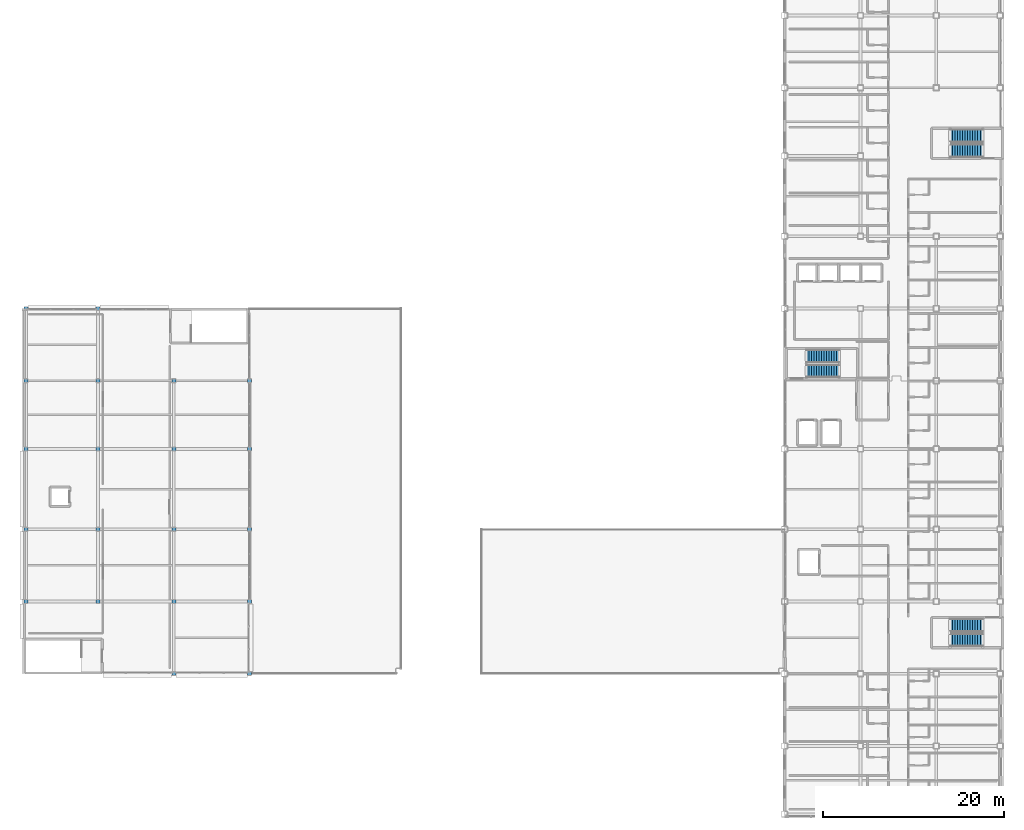
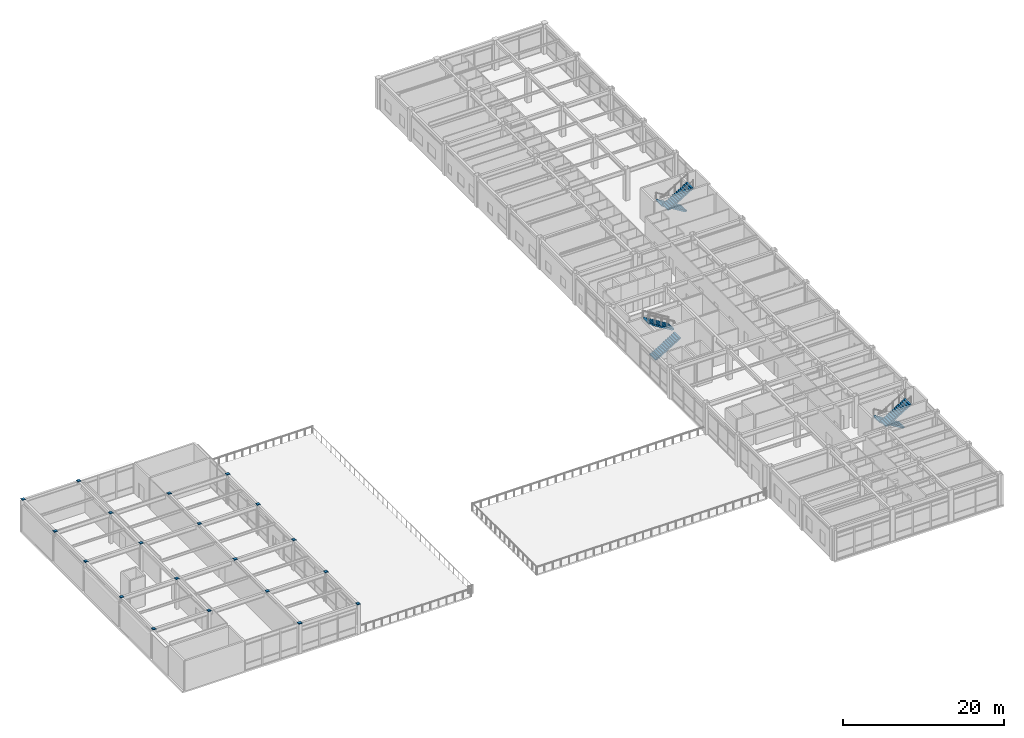
# One storey, part 56 of 61: 20 discrete accessories, 6 stair flights, 3 elements without a shape of their own.
"""IFC4 building model written with IfcOpenShell, lengths in metres."""

import ifcopenshell
import ifcopenshell.guid

model = None  # the IFC model being written
_history = None  # IfcOwnerHistory: only IFC2X3 demands one
_inside = {}  # id of a spatial element -> (the spatial element, [elements in it])
_under = {}  # id of a project, library or spatial element -> (it, [spatial elements below it])
_declared = {}  # id of a project -> (the project, [libraries it declares])
_typed = {}  # id of a type object -> (the type object, [elements of that type])
_made_of = {}  # id of a material, layer set ... -> (it, [elements and type objects made of it])


def new_model(schema):
    """Start an empty IFC model of exactly this schema.

    Asked for "IFC4X3", IfcOpenShell would pick the latest addendum, in which some entities
    have other attributes; the version numbers below select the first issue.
    IFC2X3 requires an IfcOwnerHistory on every rooted entity: one is made here for all.
    """
    global model, _history
    if schema == "IFC4X3":
        model = ifcopenshell.file(schema_version=(4, 3, 0, 0))
    else:
        model = ifcopenshell.file(schema=schema)
    _inside.clear()
    _under.clear()
    _declared.clear()
    _typed.clear()
    _made_of.clear()
    _history = None
    if model.schema == "IFC2X3":
        org = make("IfcOrganization", Name="unknown")
        user = make(
            "IfcPersonAndOrganization",
            ThePerson=make("IfcPerson", FamilyName="unknown"),
            TheOrganization=org,
        )
        app = make(
            "IfcApplication",
            ApplicationDeveloper=org,
            Version="unknown",
            ApplicationFullName="unknown",
            ApplicationIdentifier="unknown",
        )
        _history = make(
            "IfcOwnerHistory",
            OwningUser=user,
            OwningApplication=app,
            ChangeAction="ADDED",
            CreationDate=0,
        )
    return model


def make(cls, **values):
    """One entity of the class cls with the attributes given. An attribute that is None is left unset."""
    return model.create_entity(
        cls, **{name: value for name, value in values.items() if value is not None}
    )


def rooted(cls, **values):
    """An entity with a GlobalId (a new one), such as an element, a storey or a relation."""
    return make(cls, GlobalId=ifcopenshell.guid.new(), OwnerHistory=_history, **values)


def si_unit(unit_type, name, prefix=None):
    """IfcSIUnit, for example si_unit("LENGTHUNIT", "METRE", prefix="MILLI")."""
    return make("IfcSIUnit", UnitType=unit_type, Prefix=prefix, Name=name)


def assignment(units):
    """IfcUnitAssignment: the units of a project."""
    return None if units is None else make("IfcUnitAssignment", Units=units)


def point(xyz):
    """IfcCartesianPoint."""
    return None if xyz is None else make("IfcCartesianPoint", Coordinates=xyz)


def direction(xyz):
    """IfcDirection."""
    return None if xyz is None else make("IfcDirection", DirectionRatios=xyz)


def frame(location, z_axis=None, x_axis=None):
    """IfcAxis2Placement3D, a coordinate frame: its origin and axes. An axis left out is left unset."""
    return make(
        "IfcAxis2Placement3D",
        Location=point(location),
        Axis=direction(z_axis),
        RefDirection=direction(x_axis),
    )


def frame_2d(location, x_axis=None):
    """IfcAxis2Placement2D, a coordinate frame in the plane: its origin and x axis."""
    return make(
        "IfcAxis2Placement2D", Location=point(location), RefDirection=direction(x_axis)
    )


def origin():
    """The frame at (0, 0, 0) with its axes left unset."""
    return frame((0.0, 0.0, 0.0))


def origin_2d():
    """The frame at (0, 0) in the plane with its x axis left unset."""
    return frame_2d((0.0, 0.0))


def place(relative_to, where):
    """IfcLocalPlacement: puts the frame where relative to a parent placement (None: the world)."""
    return make(
        "IfcLocalPlacement", PlacementRelTo=relative_to, RelativePlacement=where
    )


def context(
    kind, dimensions, precision=None, world=None, true_north=None, identifier=None
):
    """IfcGeometricRepresentationContext, for example the 3D "Model" context."""
    return make(
        "IfcGeometricRepresentationContext",
        ContextIdentifier=identifier,
        ContextType=kind,
        CoordinateSpaceDimension=dimensions,
        Precision=precision,
        WorldCoordinateSystem=world,
        TrueNorth=true_north,
    )


def subcontext(parent, identifier, kind, view, scale=None):
    """IfcGeometricRepresentationSubContext, for example "Body" below "Model"."""
    return make(
        "IfcGeometricRepresentationSubContext",
        ContextIdentifier=identifier,
        ContextType=kind,
        ParentContext=parent,
        TargetScale=scale,
        TargetView=view,
    )


def project(units=None, contexts=None):
    """IfcProject with its units and contexts."""
    return rooted(
        "IfcProject",
        Name="project",
        RepresentationContexts=contexts,
        UnitsInContext=assignment(units),
    )


def spatial(cls, under=None, at=None, **own):
    """A site, building, storey or space (cls), placed at a placement, below another one or the project."""
    s = rooted(cls, ObjectPlacement=at, **own)
    if under is not None:
        _under.setdefault(under.id(), (under, []))[1].append(s)
    return s


def polyline(points):
    """IfcPolyline through the points."""
    return make("IfcPolyline", Points=[point(p) for p in points])


def profile(cls, at=None, kind="AREA", **sizes):
    """A parametric profile (cls). Its sizes go by their IFC names, for example OverallWidth=200.0."""
    return make(cls, ProfileType=kind, Position=at, **sizes)


def rectangle(**sizes):
    """IfcRectangleProfileDef."""
    return profile("IfcRectangleProfileDef", **sizes)


def outline(outer, holes=None, kind="AREA"):
    """IfcArbitraryClosedProfileDef: a profile drawn as a closed curve; with holes, ...WithVoids."""
    if holes is None:
        return make("IfcArbitraryClosedProfileDef", ProfileType=kind, OuterCurve=outer)
    return make(
        "IfcArbitraryProfileDefWithVoids",
        ProfileType=kind,
        OuterCurve=outer,
        InnerCurves=holes,
    )


def extrude(swept, where, along, depth):
    """IfcExtrudedAreaSolid: the profile swept, set in the frame where, extruded along a direction by depth."""
    return make(
        "IfcExtrudedAreaSolid",
        SweptArea=swept,
        Position=where,
        ExtrudedDirection=direction(along),
        Depth=depth,
    )


def shape(context_of_items, identifier, shape_type, items):
    """IfcShapeRepresentation: the items that make up one representation, for example the "Body"."""
    return make(
        "IfcShapeRepresentation",
        ContextOfItems=context_of_items,
        RepresentationIdentifier=identifier,
        RepresentationType=shape_type,
        Items=items,
    )


def material(Name=None, Category=None):
    """IfcMaterial."""
    return make("IfcMaterial", Name=Name, Category=Category)


def layer(
    of_material, thickness, ventilated=None, Name=None, Category=None, Priority=None
):
    """IfcMaterialLayer: one layer of a wall or slab, of a material (None: an air gap)."""
    return make(
        "IfcMaterialLayer",
        Material=of_material,
        LayerThickness=thickness,
        IsVentilated=ventilated,
        Name=Name,
        Category=Category,
        Priority=Priority,
    )


def layer_set(layers, Name=None):
    """IfcMaterialLayerSet."""
    return make("IfcMaterialLayerSet", MaterialLayers=layers, LayerSetName=Name)


def made_of(thing, what):
    """Note that an element or type object is made of a material, layer set ...; save() writes the relation."""
    if what is not None:
        _made_of.setdefault(what.id(), (what, []))[1].append(thing)
    return thing


def type_object(cls, material=None, **own):
    """A type object (cls), such as IfcWallType, which elements share."""
    return made_of(rooted(cls, **own), material)


def element(
    cls,
    number,
    at=None,
    inside=None,
    cuts=None,
    type_object=None,
    material=None,
    context=None,
    identifier="Body",
    shape_type=None,
    held_by="IfcProductDefinitionShape",
    body=None,
    shapes=None,
    **own,
):
    """One element of the class cls, such as IfcWall. Its Tag is "e" and its number.

    at: its placement. inside: the storey or other place that contains it. cuts: it is an
    opening in that element (IfcRelVoidsElement). A single representation is given by context,
    identifier, shape_type and body (its items); several are given by shapes. held_by: the class
    of the entity that holds the representations. save() writes the other relations.
    """
    e = rooted(cls, Tag="e%d" % number, ObjectPlacement=at, **own)
    if body is not None:
        shapes = [shape(context, identifier, shape_type, body)]
    if shapes is not None:
        e.Representation = make(held_by, Representations=shapes)
    if inside is not None:
        _inside.setdefault(inside.id(), (inside, []))[1].append(e)
    if cuts is not None:
        rooted(
            "IfcRelVoidsElement", RelatingBuildingElement=cuts, RelatedOpeningElement=e
        )
    if type_object is not None:
        _typed.setdefault(type_object.id(), (type_object, []))[1].append(e)
    return made_of(e, material)


def aggregate(whole, parts):
    """IfcRelAggregates: a whole, such as a stair, and the parts it consists of."""
    return rooted("IfcRelAggregates", RelatingObject=whole, RelatedObjects=parts)


def save(model, path):
    """Write the relations noted so far, then the file.

    IfcRelAggregates (storeys below a building ...), IfcRelContainedInSpatialStructure (elements
    in a storey), IfcRelDefinesByType, IfcRelAssociatesMaterial and IfcRelDeclares: one each for
    every whole, place, type object, material and project.
    """
    for whole, parts in _under.values():
        aggregate(whole, parts)
    for where, things in _inside.values():
        rooted(
            "IfcRelContainedInSpatialStructure",
            RelatedElements=things,
            RelatingStructure=where,
        )
    for kind, things in _typed.values():
        rooted("IfcRelDefinesByType", RelatedObjects=things, RelatingType=kind)
    for what, things in _made_of.values():
        rooted("IfcRelAssociatesMaterial", RelatedObjects=things, RelatingMaterial=what)
    for by, libraries in _declared.values():
        rooted("IfcRelDeclares", RelatingContext=by, RelatedDefinitions=libraries)
    model.write(path)


model = new_model("IFC4")

# Units and contexts
model_context = context("Model", 3, precision=1e-05, world=origin(), true_north=direction((0.0, 1.0)))
body_context = subcontext(model_context, "Body", "Model", "MODEL_VIEW")
ifc_project = project(units=[si_unit("LENGTHUNIT", "METRE"), si_unit("AREAUNIT", "SQUARE_METRE"), si_unit("VOLUMEUNIT", "CUBIC_METRE"), si_unit("PLANEANGLEUNIT", "RADIAN"), si_unit("MASSUNIT", "GRAM", prefix="KILO")], contexts=[model_context])

# Site, building, storey
site_placement = place(None, origin())
site = spatial("IfcSite", under=ifc_project, at=site_placement, CompositionType="ELEMENT")
building_placement = place(site_placement, origin())
building = spatial("IfcBuilding", under=site, at=building_placement, Name="Kazehara Bluff Congress Hotel", CompositionType="ELEMENT")
storey_placement = place(building_placement, frame((0.0, 0.0, 19.800048828125)))
storey = spatial("IfcBuildingStorey", under=building, at=storey_placement, Name="L04", CompositionType="ELEMENT", Elevation=19.800048828125)

# Stair, stair flights
ifc_material_1 = material(Name="Concrete C36/45", Category="concrete")
stair_type = type_object("IfcStairType", Name="TP-ST-T04", PredefinedType="HALF_TURN_STAIR", material=ifc_material_1)
stair_1_placement = place(storey_placement, origin())
stair_1 = element("IfcStair", 1, at=stair_1_placement, inside=storey, type_object=stair_type, Name="L04 Escape stair ST-10", PredefinedType="HALF_TURN_STAIR")
ifc_material_2 = material(Name="Concrete C36/45", Category="concrete")
stair_flight_type = type_object("IfcStairFlightType", Name="TP-SF-T04", PredefinedType="STRAIGHT", material=ifc_material_2)
stair_flight_1_placement = place(storey_placement, frame((165.64990234375, 21.375, 0.0), z_axis=(0.0, 0.0, 1.0), x_axis=(-1.0, 0.0, 0.0)))
stair_flight_1 = element("IfcStairFlight", 2, at=stair_flight_1_placement, type_object=stair_flight_type, Name="ST-10 flight 1", NumberOfRisers=14, NumberOfTreads=13, PredefinedType="STRAIGHT", RiserHeight=0.171428571, TreadLength=0.28, context=body_context, shape_type="SweptSolid", body=[
    extrude(outline(polyline([(0.0, 0.0), (0.0, 0.17138671875), (0.280029296875, 0.17138671875), (0.280029296875, 0.3427734375), (0.56005859375, 0.3427734375), (0.56005859375, 0.514404296875), (0.840087890625, 0.514404296875), (0.840087890625, 0.685791015625), (1.1201171875, 0.685791015625), (1.1201171875, 0.857177734375), (1.39990234375, 0.857177734375), (1.39990234375, 1.028564453125), (1.679931640625, 1.028564453125), (1.679931640625, 1.199951171875), (1.9599609375, 1.199951171875), (1.9599609375, 1.371337890625), (2.239990234375, 1.371337890625), (2.239990234375, 1.54296875), (2.52001953125, 1.54296875), (2.52001953125, 1.71435546875), (2.800048828125, 1.71435546875), (2.800048828125, 1.8857421875), (3.080078125, 1.8857421875), (3.080078125, 2.05712890625), (3.360107421875, 2.05712890625), (3.360107421875, 2.228515625), (3.639892578125, 2.228515625), (3.639892578125, 2.39990234375), (3.639892578125, 2.041015625), (0.30615234375, 0.0), (0.0, 0.0)])), frame((0.0, 0.72509765625, 0.0), z_axis=(0.0, -1.0, 0.0), x_axis=(1.0, 0.0, 0.0)), (0.0, 0.0, 1.0), 1.449951171875),
])
stair_flight_2_placement = place(storey_placement, frame((162.010009765625, 19.72509765625, 2.39990234375), z_axis=(0.0, 0.0, 1.0), x_axis=(1.0, 0.0, 0.0)))
stair_flight_2 = element("IfcStairFlight", 3, at=stair_flight_2_placement, type_object=stair_flight_type, Name="ST-10 flight 2", NumberOfRisers=14, NumberOfTreads=13, PredefinedType="STRAIGHT", RiserHeight=0.171428571, TreadLength=0.28, context=body_context, shape_type="SweptSolid", body=[
    extrude(outline(polyline([(0.0, 0.0), (0.0, 0.17138671875), (0.280029296875, 0.17138671875), (0.280029296875, 0.3427734375), (0.56005859375, 0.3427734375), (0.56005859375, 0.514404296875), (0.840087890625, 0.514404296875), (0.840087890625, 0.685791015625), (1.1201171875, 0.685791015625), (1.1201171875, 0.857177734375), (1.39990234375, 0.857177734375), (1.39990234375, 1.028564453125), (1.679931640625, 1.028564453125), (1.679931640625, 1.199951171875), (1.9599609375, 1.199951171875), (1.9599609375, 1.371337890625), (2.239990234375, 1.371337890625), (2.239990234375, 1.54296875), (2.52001953125, 1.54296875), (2.52001953125, 1.71435546875), (2.800048828125, 1.71435546875), (2.800048828125, 1.8857421875), (3.080078125, 1.8857421875), (3.080078125, 2.05712890625), (3.360107421875, 2.05712890625), (3.360107421875, 2.228515625), (3.639892578125, 2.228515625), (3.639892578125, 2.39990234375), (3.639892578125, 2.041015625), (0.30615234375, 0.0), (0.0, 0.0)])), frame((0.0, 0.72509765625, 0.0), z_axis=(0.0, -1.0, 0.0), x_axis=(1.0, 0.0, 0.0)), (0.0, 0.0, 1.0), 1.449951171875),
])
aggregate(stair_1, [stair_flight_1, stair_flight_2])

stair_2_placement = place(storey_placement, origin())
stair_2 = element("IfcStair", 4, at=stair_2_placement, inside=storey, type_object=stair_type, Name="L04 Escape stair ST-11", PredefinedType="HALF_TURN_STAIR")
stair_flight_3_placement = place(storey_placement, frame((146.10009765625, 49.52490234375, 0.0), z_axis=(0.0, 0.0, 1.0), x_axis=(1.0, 0.0, 0.0)))
stair_flight_3 = element("IfcStairFlight", 5, at=stair_flight_3_placement, type_object=stair_flight_type, Name="ST-11 flight 1", NumberOfRisers=14, NumberOfTreads=13, PredefinedType="STRAIGHT", RiserHeight=0.171428571, TreadLength=0.28, context=body_context, shape_type="SweptSolid", body=[
    extrude(outline(polyline([(0.0, 0.0), (0.0, 0.17138671875), (0.280029296875, 0.17138671875), (0.280029296875, 0.3427734375), (0.56005859375, 0.3427734375), (0.56005859375, 0.514404296875), (0.840087890625, 0.514404296875), (0.840087890625, 0.685791015625), (1.1201171875, 0.685791015625), (1.1201171875, 0.857177734375), (1.39990234375, 0.857177734375), (1.39990234375, 1.028564453125), (1.679931640625, 1.028564453125), (1.679931640625, 1.199951171875), (1.9599609375, 1.199951171875), (1.9599609375, 1.371337890625), (2.239990234375, 1.371337890625), (2.239990234375, 1.54296875), (2.52001953125, 1.54296875), (2.52001953125, 1.71435546875), (2.800048828125, 1.71435546875), (2.800048828125, 1.8857421875), (3.080078125, 1.8857421875), (3.080078125, 2.05712890625), (3.360107421875, 2.05712890625), (3.360107421875, 2.228515625), (3.639892578125, 2.228515625), (3.639892578125, 2.39990234375), (3.639892578125, 2.041015625), (0.30615234375, 0.0), (0.0, 0.0)])), frame((0.0, 0.72509765625, 0.0), z_axis=(0.0, -1.0, 0.0), x_axis=(1.0, 0.0, 0.0)), (0.0, 0.0, 1.0), 1.449951171875),
])
stair_flight_4_placement = place(storey_placement, frame((149.739990234375, 51.175048828125, 2.39990234375), z_axis=(0.0, 0.0, 1.0), x_axis=(-1.0, 0.0, 0.0)))
stair_flight_4 = element("IfcStairFlight", 6, at=stair_flight_4_placement, type_object=stair_flight_type, Name="ST-11 flight 2", NumberOfRisers=14, NumberOfTreads=13, PredefinedType="STRAIGHT", RiserHeight=0.171428571, TreadLength=0.28, context=body_context, shape_type="SweptSolid", body=[
    extrude(outline(polyline([(0.0, 0.0), (0.0, 0.17138671875), (0.280029296875, 0.17138671875), (0.280029296875, 0.3427734375), (0.56005859375, 0.3427734375), (0.56005859375, 0.514404296875), (0.840087890625, 0.514404296875), (0.840087890625, 0.685791015625), (1.1201171875, 0.685791015625), (1.1201171875, 0.857177734375), (1.39990234375, 0.857177734375), (1.39990234375, 1.028564453125), (1.679931640625, 1.028564453125), (1.679931640625, 1.199951171875), (1.9599609375, 1.199951171875), (1.9599609375, 1.371337890625), (2.239990234375, 1.371337890625), (2.239990234375, 1.54296875), (2.52001953125, 1.54296875), (2.52001953125, 1.71435546875), (2.800048828125, 1.71435546875), (2.800048828125, 1.8857421875), (3.080078125, 1.8857421875), (3.080078125, 2.05712890625), (3.360107421875, 2.05712890625), (3.360107421875, 2.228515625), (3.639892578125, 2.228515625), (3.639892578125, 2.39990234375), (3.639892578125, 2.041015625), (0.30615234375, 0.0), (0.0, 0.0)])), frame((0.0, 0.72509765625, 0.0), z_axis=(0.0, -1.0, 0.0), x_axis=(1.0, 0.0, 0.0)), (0.0, 0.0, 1.0), 1.449951171875),
])
aggregate(stair_2, [stair_flight_3, stair_flight_4])

stair_3_placement = place(storey_placement, origin())
stair_3 = element("IfcStair", 7, at=stair_3_placement, inside=storey, type_object=stair_type, Name="L04 Escape stair ST-12", PredefinedType="HALF_TURN_STAIR")
stair_flight_5_placement = place(storey_placement, frame((165.64990234375, 75.574951171875, 0.0), z_axis=(0.0, 0.0, 1.0), x_axis=(-1.0, 0.0, 0.0)))
stair_flight_5 = element("IfcStairFlight", 8, at=stair_flight_5_placement, type_object=stair_flight_type, Name="ST-12 flight 1", NumberOfRisers=14, NumberOfTreads=13, PredefinedType="STRAIGHT", RiserHeight=0.171428571, TreadLength=0.28, context=body_context, shape_type="SweptSolid", body=[
    extrude(outline(polyline([(0.0, 0.0), (0.0, 0.17138671875), (0.280029296875, 0.17138671875), (0.280029296875, 0.3427734375), (0.56005859375, 0.3427734375), (0.56005859375, 0.514404296875), (0.840087890625, 0.514404296875), (0.840087890625, 0.685791015625), (1.1201171875, 0.685791015625), (1.1201171875, 0.857177734375), (1.39990234375, 0.857177734375), (1.39990234375, 1.028564453125), (1.679931640625, 1.028564453125), (1.679931640625, 1.199951171875), (1.9599609375, 1.199951171875), (1.9599609375, 1.371337890625), (2.239990234375, 1.371337890625), (2.239990234375, 1.54296875), (2.52001953125, 1.54296875), (2.52001953125, 1.71435546875), (2.800048828125, 1.71435546875), (2.800048828125, 1.8857421875), (3.080078125, 1.8857421875), (3.080078125, 2.05712890625), (3.360107421875, 2.05712890625), (3.360107421875, 2.228515625), (3.639892578125, 2.228515625), (3.639892578125, 2.39990234375), (3.639892578125, 2.041015625), (0.30615234375, 0.0), (0.0, 0.0)])), frame((0.0, 0.72509765625, 0.0), z_axis=(0.0, -1.0, 0.0), x_axis=(1.0, 0.0, 0.0)), (0.0, 0.0, 1.0), 1.449951171875),
])
stair_flight_6_placement = place(storey_placement, frame((162.010009765625, 73.925048828125, 2.39990234375), z_axis=(0.0, 0.0, 1.0), x_axis=(1.0, 0.0, 0.0)))
stair_flight_6 = element("IfcStairFlight", 9, at=stair_flight_6_placement, type_object=stair_flight_type, Name="ST-12 flight 2", NumberOfRisers=14, NumberOfTreads=13, PredefinedType="STRAIGHT", RiserHeight=0.171428571, TreadLength=0.28, context=body_context, shape_type="SweptSolid", body=[
    extrude(outline(polyline([(0.0, 0.0), (0.0, 0.17138671875), (0.280029296875, 0.17138671875), (0.280029296875, 0.3427734375), (0.56005859375, 0.3427734375), (0.56005859375, 0.514404296875), (0.840087890625, 0.514404296875), (0.840087890625, 0.685791015625), (1.1201171875, 0.685791015625), (1.1201171875, 0.857177734375), (1.39990234375, 0.857177734375), (1.39990234375, 1.028564453125), (1.679931640625, 1.028564453125), (1.679931640625, 1.199951171875), (1.9599609375, 1.199951171875), (1.9599609375, 1.371337890625), (2.239990234375, 1.371337890625), (2.239990234375, 1.54296875), (2.52001953125, 1.54296875), (2.52001953125, 1.71435546875), (2.800048828125, 1.71435546875), (2.800048828125, 1.8857421875), (3.080078125, 1.8857421875), (3.080078125, 2.05712890625), (3.360107421875, 2.05712890625), (3.360107421875, 2.228515625), (3.639892578125, 2.228515625), (3.639892578125, 2.39990234375), (3.639892578125, 2.041015625), (0.30615234375, 0.0), (0.0, 0.0)])), frame((0.0, 0.72509765625, 0.0), z_axis=(0.0, -1.0, 0.0), x_axis=(1.0, 0.0, 0.0)), (0.0, 0.0, 1.0), 1.449951171875),
])
aggregate(stair_3, [stair_flight_5, stair_flight_6])

# Discrete accessories
ifc_material_3 = material(Name="Steel SN490B", Category="steel")
ifc_layer = layer(ifc_material_3, 0.06005859375)
ifc_layer_set = layer_set([ifc_layer], Name="Steel SN490B")
discrete_accessory_type = type_object("IfcDiscreteAccessoryType", Name="TP-CAP-BLK", PredefinedType="BRACKET", material=ifc_layer_set)
for number, where, z_axis, x_axis, name in (
    (10, (59.699951171875, 24.0, 4.5498046875), (0.0, 0.0, 1.0), (1.0, 0.0, 0.0), "Hollow column welded cap plate L04 1095"),
    (11, (59.699951171875, 32.0, 4.5498046875), (0.0, 0.0, 1.0), (1.0, 0.0, 0.0), "Hollow column welded cap plate L04 1096"),
    (12, (59.699951171875, 40.89990234375, 4.5498046875), (0.0, 0.0, 1.0), (1.0, 0.0, 0.0), "Hollow column welded cap plate L04 1097"),
    (13, (59.699951171875, 48.449951171875, 4.5498046875), (0.0, 0.0, 1.0), (1.0, 0.0, 0.0), "Hollow column welded cap plate L04 1098"),
    (14, (59.699951171875, 56.449951171875, 4.5498046875), (0.0, 0.0, 1.0), (1.0, 0.0, 0.0), "Hollow column welded cap plate L04 1099"),
    (15, (67.64990234375, 24.0, 4.5498046875), (0.0, 0.0, 1.0), (1.0, 0.0, 0.0), "Hollow column welded cap plate L04 1100"),
    (16, (67.64990234375, 32.0, 4.5498046875), (0.0, 0.0, 1.0), (1.0, 0.0, 0.0), "Hollow column welded cap plate L04 1101"),
    (17, (67.64990234375, 40.89990234375, 4.5498046875), (0.0, 0.0, 1.0), (1.0, 0.0, 0.0), "Hollow column welded cap plate L04 1102"),
    (18, (67.64990234375, 48.449951171875, 4.5498046875), (0.0, 0.0, 1.0), (1.0, 0.0, 0.0), "Hollow column welded cap plate L04 1103"),
    (19, (67.64990234375, 56.449951171875, 4.5498046875), (0.0, 0.0, 1.0), (1.0, 0.0, 0.0), "Hollow column welded cap plate L04 1104"),
    (20, (76.050048828125, 16.0, 4.5498046875), (0.0, 0.0, 1.0), (1.0, 0.0, 0.0), "Hollow column welded cap plate L04 1105"),
    (21, (76.050048828125, 24.0, 4.5498046875), (0.0, 0.0, 1.0), (1.0, 0.0, 0.0), "Hollow column welded cap plate L04 1106"),
    (22, (76.050048828125, 32.0, 4.5498046875), (0.0, 0.0, 1.0), (1.0, 0.0, 0.0), "Hollow column welded cap plate L04 1107"),
    (23, (76.050048828125, 40.89990234375, 4.5498046875), (0.0, 0.0, 1.0), (1.0, 0.0, 0.0), "Hollow column welded cap plate L04 1108"),
    (24, (76.050048828125, 48.449951171875, 4.5498046875), (0.0, 0.0, 1.0), (1.0, 0.0, 0.0), "Hollow column welded cap plate L04 1109"),
    (25, (84.449951171875, 16.0, 4.5498046875), (0.0, 0.0, 1.0), (1.0, 0.0, 0.0), "Hollow column welded cap plate L04 1110"),
    (26, (84.449951171875, 24.0, 4.5498046875), (0.0, 0.0, 1.0), (1.0, 0.0, 0.0), "Hollow column welded cap plate L04 1111"),
    (27, (84.449951171875, 32.0, 4.5498046875), (0.0, 0.0, 1.0), (1.0, 0.0, 0.0), "Hollow column welded cap plate L04 1112"),
    (28, (84.449951171875, 40.89990234375, 4.5498046875), (0.0, 0.0, 1.0), (1.0, 0.0, 0.0), "Hollow column welded cap plate L04 1113"),
    (29, (84.449951171875, 48.449951171875, 4.5498046875), (0.0, 0.0, 1.0), (1.0, 0.0, 0.0), "Hollow column welded cap plate L04 1114"),
):
    element("IfcDiscreteAccessory", number, at=place(storey_placement, frame(where, z_axis=z_axis, x_axis=x_axis)), inside=storey, type_object=discrete_accessory_type, Name=name, PredefinedType="BRACKET", context=body_context, shape_type="SweptSolid", body=[
        extrude(rectangle(XDim=0.43994140625, YDim=0.43994140625, at=origin_2d()), origin(), (0.0, 0.0, 1.0), 0.06005859375),
    ])

save(model, "model.ifc")
